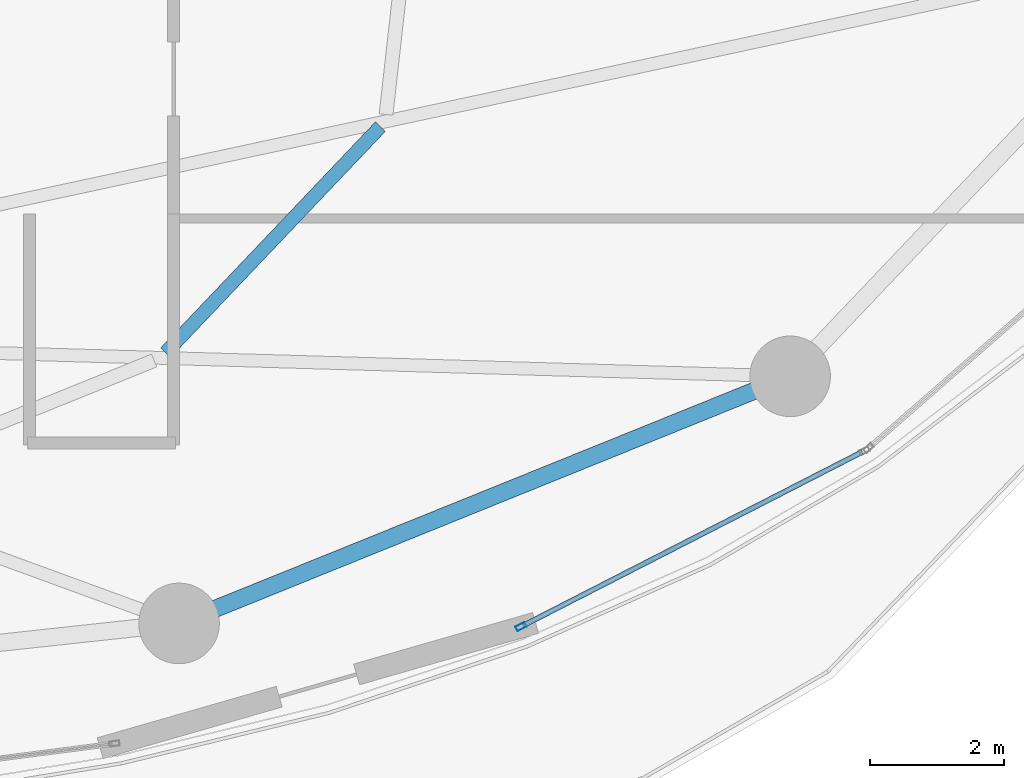
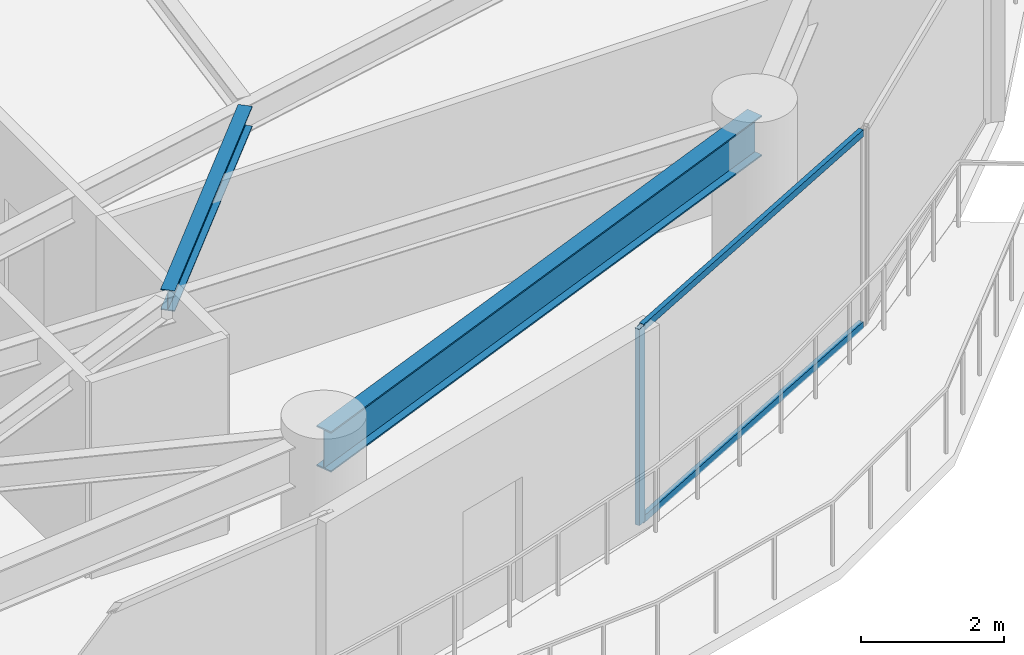
# One storey, part 11 of 28: 3 members, 2 beams, 1 element without a shape of its own.
"""IFC4 building model written with IfcOpenShell, lengths in metres."""

from ifc_helpers import new_model, si_unit, direction, frame, origin, origin_2d, place, context, subcontext, project, spatial, hollow_rectangle, i_section, extrude, material, layer, layer_set, material_profile, profile_set, type_object, element, aggregate, save


model = new_model("IFC4")

# Units and contexts
model_context = context("Model", 3, precision=1e-05, world=origin(), true_north=direction((0.0, 1.0)))
body_context = subcontext(model_context, "Body", "Model", "MODEL_VIEW")
ifc_project = project(units=[si_unit("LENGTHUNIT", "METRE"), si_unit("AREAUNIT", "SQUARE_METRE"), si_unit("VOLUMEUNIT", "CUBIC_METRE"), si_unit("PLANEANGLEUNIT", "RADIAN"), si_unit("MASSUNIT", "GRAM", prefix="KILO")], contexts=[model_context])

# Site, building, storey
site_placement = place(None, origin())
site = spatial("IfcSite", under=ifc_project, at=site_placement, CompositionType="ELEMENT")
building_placement = place(site_placement, origin())
building = spatial("IfcBuilding", under=site, at=building_placement, Name="Kazevale Care Tower and Concert Hall", CompositionType="ELEMENT")
storey_placement = place(building_placement, frame((0.0, 0.0, 135.0)))
storey = spatial("IfcBuildingStorey", under=building, at=storey_placement, Name="L35", CompositionType="ELEMENT", Elevation=135.0)

# Curtain wall, members
ifc_material_1 = material(Name="Aluminium 6063-T6 and Low-E Glass", Category="aluminium")
ifc_layer = layer(ifc_material_1, 0.179931640625)
ifc_layer_set = layer_set([ifc_layer], Name="Aluminium 6063-T6 and Low-E Glass")
curtain_wall_type = type_object("IfcCurtainWallType", Name="Sheltered Concave Balcony Curtain Wall CW-5", PredefinedType="NOTDEFINED", material=ifc_layer_set)
curtain_wall_placement = place(storey_placement, origin())
curtain_wall = element("IfcCurtainWall", 1, at=curtain_wall_placement, inside=storey, type_object=curtain_wall_type, Name="cw:L35:f03", PredefinedType="NOTDEFINED")
ifc_material_2 = material(Name="Aluminium 6063-T6", Category="aluminium")
ifc_material_profile_1 = material_profile(ifc_material_2, hollow_rectangle(XDim=0.074951171875, YDim=0.14990234375, WallThickness=0.00390625, at=origin_2d()), Name="ALU75x150x4")
ifc_profile_set_1 = profile_set([ifc_material_profile_1], Name="Aluminium 6063-T6")
member_type_1 = type_object("IfcMemberType", Name="CW-5 Mullion ALU75x150x4", PredefinedType="MULLION", material=ifc_profile_set_1)
member_1_placement = place(storey_placement, frame((60.822265625, 19.26220703125, 0.0), z_axis=(0.0, 0.0, 1.0), x_axis=(0.455713236575, -0.890126646051, 0.0)))
member_1 = element("IfcMember", 2, at=member_1_placement, type_object=member_type_1, Name="CW-5 mullion 2", PredefinedType="MULLION", context=body_context, shape_type="SweptSolid", body=[
    extrude(hollow_rectangle(XDim=0.074951171875, YDim=0.14990234375, WallThickness=0.00390625, at=origin_2d()), origin(), (0.0, 0.0, 1.0), 3.360107421875),
])
ifc_material_profile_2 = material_profile(ifc_material_2, hollow_rectangle(XDim=0.074951171875, YDim=0.1201171875, WallThickness=0.00390625, at=origin_2d()), Name="ALU75x120x4")
ifc_profile_set_2 = profile_set([ifc_material_profile_2], Name="Aluminium 6063-T6")
member_type_2 = type_object("IfcMemberType", Name="CW-5 Transom ALU75x120x4", PredefinedType="USERDEFINED", material=ifc_profile_set_2)
member_2_placement = place(storey_placement, frame((65.904296875, 21.86376953125, 0.03759765625), z_axis=(-0.890142600475, -0.455682072084, 0.0), x_axis=(0.455682072084, -0.890142600475, 0.0)))
member_2 = element("IfcMember", 3, at=member_2_placement, type_object=member_type_2, Name="CW-5 transom 1.1", ObjectType="TRANSOM", PredefinedType="USERDEFINED", context=body_context, shape_type="SweptSolid", body=[
    extrude(hollow_rectangle(XDim=0.074951171875, YDim=0.1201171875, WallThickness=0.00390625, at=origin_2d()), origin(), (0.0, 0.0, 1.0), 5.671630859375),
])
member_3_placement = place(storey_placement, frame((65.904296875, 21.86376953125, 3.322509765625), z_axis=(-0.890142600475, -0.455682072084, 0.0), x_axis=(0.455682072084, -0.890142600475, 0.0)))
member_3 = element("IfcMember", 4, at=member_3_placement, type_object=member_type_2, Name="CW-5 transom 1.2", ObjectType="TRANSOM", PredefinedType="USERDEFINED", context=body_context, shape_type="SweptSolid", body=[
    extrude(hollow_rectangle(XDim=0.074951171875, YDim=0.1201171875, WallThickness=0.00390625, at=origin_2d()), origin(), (0.0, 0.0, 1.0), 5.671630859375),
])
aggregate(curtain_wall, [member_1, member_2, member_3])

# Beams
ifc_material_3 = material(Name="Steel ASTM A572 Gr 50", Category="steel")
ifc_material_profile_3 = material_profile(ifc_material_3, i_section(OverallWidth=0.205078125, OverallDepth=0.35400390625, WebThickness=0.009521484375, FlangeThickness=0.016845703125, at=origin_2d()), Name="W360x79")
ifc_profile_set_3 = profile_set([ifc_material_profile_3], Name="Steel ASTM A572 Gr 50")
beam_type_1 = type_object("IfcBeamType", Name="Secondary Floor Joist W360x79", PredefinedType="JOIST", material=ifc_profile_set_3)
beam_1_placement = place(storey_placement, frame((55.529052734375, 23.341064453125, 3.18310546875), z_axis=(0.688792288395, 0.724958746032, 0.0), x_axis=(-0.724958746032, 0.688792288395, 0.0)))
element("IfcBeam", 5, at=beam_1_placement, inside=storey, type_object=beam_type_1, Name="beam:L35:joist:15", PredefinedType="JOIST", context=body_context, shape_type="SweptSolid", body=[
    extrude(i_section(OverallWidth=0.205078125, OverallDepth=0.35400390625, WebThickness=0.009521484375, FlangeThickness=0.016845703125, at=origin_2d()), origin(), (0.0, 0.0, 1.0), 4.644287109375),
])
ifc_material_profile_4 = material_profile(ifc_material_3, i_section(OverallWidth=0.256103515625, OverallDepth=0.693115234375, WebThickness=0.014404296875, FlangeThickness=0.023681640625, at=origin_2d()), Name="W690x170")
ifc_profile_set_4 = profile_set([ifc_material_profile_4], Name="Steel ASTM A572 Gr 50")
beam_type_2 = type_object("IfcBeamType", Name="Waist Ring Beam W690x170", PredefinedType="BEAM", material=ifc_profile_set_4)
beam_2_placement = place(storey_placement, frame((55.72998046875, 19.31005859375, 3.013427734375), z_axis=(0.927068687828, 0.374891515041, 0.0), x_axis=(-0.374891515041, 0.927068687828, 0.0)))
element("IfcBeam", 6, at=beam_2_placement, inside=storey, type_object=beam_type_2, Name="beam:L35:ring:14", PredefinedType="BEAM", context=body_context, shape_type="SweptSolid", body=[
    extrude(i_section(OverallWidth=0.256103515625, OverallDepth=0.693115234375, WebThickness=0.014404296875, FlangeThickness=0.023681640625, at=origin_2d()), origin(), (0.0, 0.0, 1.0), 9.81591796875),
])

save(model, "model.ifc")
